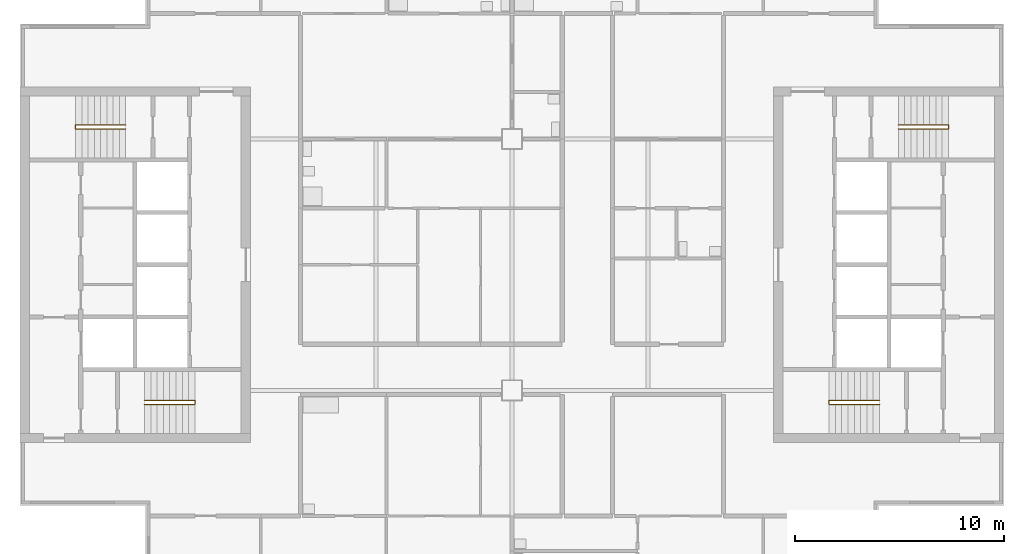
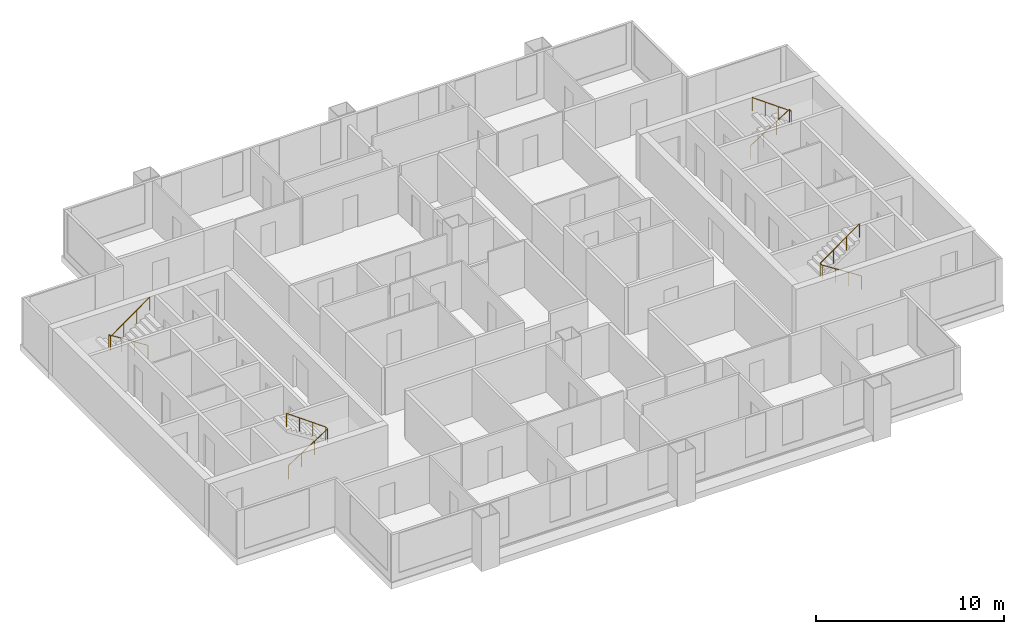
# One storey, part 8 of 9: 4 railings.
"""IFC4 building model written with IfcOpenShell, lengths in metres."""

import ifcopenshell
import ifcopenshell.guid

model = None  # the IFC model being written
_history = None  # IfcOwnerHistory: only IFC2X3 demands one
_inside = {}  # id of a spatial element -> (the spatial element, [elements in it])
_under = {}  # id of a project, library or spatial element -> (it, [spatial elements below it])
_declared = {}  # id of a project -> (the project, [libraries it declares])
_typed = {}  # id of a type object -> (the type object, [elements of that type])
_made_of = {}  # id of a material, layer set ... -> (it, [elements and type objects made of it])


def new_model(schema):
    """Start an empty IFC model of exactly this schema.

    Asked for "IFC4X3", IfcOpenShell would pick the latest addendum, in which some entities
    have other attributes; the version numbers below select the first issue.
    IFC2X3 requires an IfcOwnerHistory on every rooted entity: one is made here for all.
    """
    global model, _history
    if schema == "IFC4X3":
        model = ifcopenshell.file(schema_version=(4, 3, 0, 0))
    else:
        model = ifcopenshell.file(schema=schema)
    _inside.clear()
    _under.clear()
    _declared.clear()
    _typed.clear()
    _made_of.clear()
    _history = None
    if model.schema == "IFC2X3":
        org = make("IfcOrganization", Name="unknown")
        user = make(
            "IfcPersonAndOrganization",
            ThePerson=make("IfcPerson", FamilyName="unknown"),
            TheOrganization=org,
        )
        app = make(
            "IfcApplication",
            ApplicationDeveloper=org,
            Version="unknown",
            ApplicationFullName="unknown",
            ApplicationIdentifier="unknown",
        )
        _history = make(
            "IfcOwnerHistory",
            OwningUser=user,
            OwningApplication=app,
            ChangeAction="ADDED",
            CreationDate=0,
        )
    return model


def make(cls, **values):
    """One entity of the class cls with the attributes given. An attribute that is None is left unset."""
    return model.create_entity(
        cls, **{name: value for name, value in values.items() if value is not None}
    )


def rooted(cls, **values):
    """An entity with a GlobalId (a new one), such as an element, a storey or a relation."""
    return make(cls, GlobalId=ifcopenshell.guid.new(), OwnerHistory=_history, **values)


def si_unit(unit_type, name, prefix=None):
    """IfcSIUnit, for example si_unit("LENGTHUNIT", "METRE", prefix="MILLI")."""
    return make("IfcSIUnit", UnitType=unit_type, Prefix=prefix, Name=name)


def assignment(units):
    """IfcUnitAssignment: the units of a project."""
    return None if units is None else make("IfcUnitAssignment", Units=units)


def point(xyz):
    """IfcCartesianPoint."""
    return None if xyz is None else make("IfcCartesianPoint", Coordinates=xyz)


def direction(xyz):
    """IfcDirection."""
    return None if xyz is None else make("IfcDirection", DirectionRatios=xyz)


def frame(location, z_axis=None, x_axis=None):
    """IfcAxis2Placement3D, a coordinate frame: its origin and axes. An axis left out is left unset."""
    return make(
        "IfcAxis2Placement3D",
        Location=point(location),
        Axis=direction(z_axis),
        RefDirection=direction(x_axis),
    )


def frame_2d(location, x_axis=None):
    """IfcAxis2Placement2D, a coordinate frame in the plane: its origin and x axis."""
    return make(
        "IfcAxis2Placement2D", Location=point(location), RefDirection=direction(x_axis)
    )


def origin():
    """The frame at (0, 0, 0) with its axes left unset."""
    return frame((0.0, 0.0, 0.0))


def origin_2d():
    """The frame at (0, 0) in the plane with its x axis left unset."""
    return frame_2d((0.0, 0.0))


def place(relative_to, where):
    """IfcLocalPlacement: puts the frame where relative to a parent placement (None: the world)."""
    return make(
        "IfcLocalPlacement", PlacementRelTo=relative_to, RelativePlacement=where
    )


def context(
    kind, dimensions, precision=None, world=None, true_north=None, identifier=None
):
    """IfcGeometricRepresentationContext, for example the 3D "Model" context."""
    return make(
        "IfcGeometricRepresentationContext",
        ContextIdentifier=identifier,
        ContextType=kind,
        CoordinateSpaceDimension=dimensions,
        Precision=precision,
        WorldCoordinateSystem=world,
        TrueNorth=true_north,
    )


def subcontext(parent, identifier, kind, view, scale=None):
    """IfcGeometricRepresentationSubContext, for example "Body" below "Model"."""
    return make(
        "IfcGeometricRepresentationSubContext",
        ContextIdentifier=identifier,
        ContextType=kind,
        ParentContext=parent,
        TargetScale=scale,
        TargetView=view,
    )


def project(units=None, contexts=None):
    """IfcProject with its units and contexts."""
    return rooted(
        "IfcProject",
        Name="project",
        RepresentationContexts=contexts,
        UnitsInContext=assignment(units),
    )


def spatial(cls, under=None, at=None, **own):
    """A site, building, storey or space (cls), placed at a placement, below another one or the project."""
    s = rooted(cls, ObjectPlacement=at, **own)
    if under is not None:
        _under.setdefault(under.id(), (under, []))[1].append(s)
    return s


def profile(cls, at=None, kind="AREA", **sizes):
    """A parametric profile (cls). Its sizes go by their IFC names, for example OverallWidth=200.0."""
    return make(cls, ProfileType=kind, Position=at, **sizes)


def circle(**sizes):
    """IfcCircleProfileDef."""
    return profile("IfcCircleProfileDef", **sizes)


def extrude(swept, where, along, depth):
    """IfcExtrudedAreaSolid: the profile swept, set in the frame where, extruded along a direction by depth."""
    return make(
        "IfcExtrudedAreaSolid",
        SweptArea=swept,
        Position=where,
        ExtrudedDirection=direction(along),
        Depth=depth,
    )


def shape(context_of_items, identifier, shape_type, items):
    """IfcShapeRepresentation: the items that make up one representation, for example the "Body"."""
    return make(
        "IfcShapeRepresentation",
        ContextOfItems=context_of_items,
        RepresentationIdentifier=identifier,
        RepresentationType=shape_type,
        Items=items,
    )


def material(Name=None, Category=None):
    """IfcMaterial."""
    return make("IfcMaterial", Name=Name, Category=Category)


def made_of(thing, what):
    """Note that an element or type object is made of a material, layer set ...; save() writes the relation."""
    if what is not None:
        _made_of.setdefault(what.id(), (what, []))[1].append(thing)
    return thing


def type_object(cls, material=None, **own):
    """A type object (cls), such as IfcWallType, which elements share."""
    return made_of(rooted(cls, **own), material)


def element(
    cls,
    number,
    at=None,
    inside=None,
    cuts=None,
    type_object=None,
    material=None,
    context=None,
    identifier="Body",
    shape_type=None,
    held_by="IfcProductDefinitionShape",
    body=None,
    shapes=None,
    **own,
):
    """One element of the class cls, such as IfcWall. Its Tag is "e" and its number.

    at: its placement. inside: the storey or other place that contains it. cuts: it is an
    opening in that element (IfcRelVoidsElement). A single representation is given by context,
    identifier, shape_type and body (its items); several are given by shapes. held_by: the class
    of the entity that holds the representations. save() writes the other relations.
    """
    e = rooted(cls, Tag="e%d" % number, ObjectPlacement=at, **own)
    if body is not None:
        shapes = [shape(context, identifier, shape_type, body)]
    if shapes is not None:
        e.Representation = make(held_by, Representations=shapes)
    if inside is not None:
        _inside.setdefault(inside.id(), (inside, []))[1].append(e)
    if cuts is not None:
        rooted(
            "IfcRelVoidsElement", RelatingBuildingElement=cuts, RelatedOpeningElement=e
        )
    if type_object is not None:
        _typed.setdefault(type_object.id(), (type_object, []))[1].append(e)
    return made_of(e, material)


def aggregate(whole, parts):
    """IfcRelAggregates: a whole, such as a stair, and the parts it consists of."""
    return rooted("IfcRelAggregates", RelatingObject=whole, RelatedObjects=parts)


def save(model, path):
    """Write the relations noted so far, then the file.

    IfcRelAggregates (storeys below a building ...), IfcRelContainedInSpatialStructure (elements
    in a storey), IfcRelDefinesByType, IfcRelAssociatesMaterial and IfcRelDeclares: one each for
    every whole, place, type object, material and project.
    """
    for whole, parts in _under.values():
        aggregate(whole, parts)
    for where, things in _inside.values():
        rooted(
            "IfcRelContainedInSpatialStructure",
            RelatedElements=things,
            RelatingStructure=where,
        )
    for kind, things in _typed.values():
        rooted("IfcRelDefinesByType", RelatedObjects=things, RelatingType=kind)
    for what, things in _made_of.values():
        rooted("IfcRelAssociatesMaterial", RelatedObjects=things, RelatingMaterial=what)
    for by, libraries in _declared.values():
        rooted("IfcRelDeclares", RelatingContext=by, RelatedDefinitions=libraries)
    model.write(path)


model = new_model("IFC4")

# Units and contexts
model_context = context("Model", 3, precision=1e-05, world=origin(), true_north=direction((0.0, 1.0)))
body_context = subcontext(model_context, "Body", "Model", "MODEL_VIEW")
ifc_project = project(units=[si_unit("LENGTHUNIT", "METRE"), si_unit("AREAUNIT", "SQUARE_METRE"), si_unit("VOLUMEUNIT", "CUBIC_METRE"), si_unit("PLANEANGLEUNIT", "RADIAN"), si_unit("MASSUNIT", "GRAM", prefix="KILO")], contexts=[model_context])

# Site, building, storey
site_placement = place(None, origin())
site = spatial("IfcSite", under=ifc_project, at=site_placement, CompositionType="ELEMENT")
building_placement = place(site_placement, origin())
building = spatial("IfcBuilding", under=site, at=building_placement, Name="Kitamizu Gate Tower and Museum", CompositionType="ELEMENT")
storey_placement = place(building_placement, frame((0.0, 0.0, 221.39990234375)))
storey = spatial("IfcBuildingStorey", under=building, at=storey_placement, Name="L59", CompositionType="ELEMENT", Elevation=221.39990234375)

# Railings
ifc_material = material(Name="Stainless steel SUS304", Category="steel")
railing_type = type_object("IfcRailingType", Name="Stair handrail 900", PredefinedType="HANDRAIL", material=ifc_material)
railing_1_placement = place(storey_placement, frame((18.449951171875, 23.324951171875, 0.191650390625)))
element("IfcRailing", 1, at=railing_1_placement, inside=storey, type_object=railing_type, Name="Stair handrail ST1", PredefinedType="HANDRAIL", context=body_context, shape_type="SweptSolid", body=[
    extrude(circle(Radius=0.02392578125, at=origin_2d()), frame((0.0, 0.0, 0.8759765625), z_axis=(0.842693018954, 0.0, 0.538394349715), x_axis=(0.0, 1.0, 0.0)), (0.0, 0.0, 1.0), 2.84814453125),
    extrude(circle(Radius=0.02392578125, at=origin_2d()), frame((2.400146484375, 0.0, 2.4091796875), z_axis=(0.0, 1.0, 0.0), x_axis=(-1.0, 0.0, 0.0)), (0.0, 0.0, 1.0), 0.199951171875),
    extrude(circle(Radius=0.02392578125, at=origin_2d()), frame((2.400146484375, 0.199951171875, 2.4091796875), z_axis=(-0.812016594614, 0.0, 0.583634346205), x_axis=(0.0, -1.0, 0.0)), (0.0, 0.0, 1.0), 2.955810546875),
    extrude(circle(Radius=0.02099609375, at=origin_2d()), origin(), (0.0, 0.0, 1.0), 0.851806640625),
    extrude(circle(Radius=0.02099609375, at=origin_2d()), frame((0.800048828125, 0.0, 0.51123046875)), (0.0, 0.0, 1.0), 0.851806640625),
    extrude(circle(Radius=0.02099609375, at=origin_2d()), frame((1.60009765625, 0.0, 1.022216796875)), (0.0, 0.0, 1.0), 0.851806640625),
    extrude(circle(Radius=0.02099609375, at=origin_2d()), frame((2.400146484375, 0.0, 1.533447265625)), (0.0, 0.0, 1.0), 0.851806640625),
    extrude(circle(Radius=0.02099609375, at=origin_2d()), frame((2.400146484375, 0.199951171875, 1.533447265625)), (0.0, 0.0, 1.0), 0.851806640625),
    extrude(circle(Radius=0.02099609375, at=origin_2d()), frame((1.60009765625, 0.199951171875, 2.1083984375)), (0.0, 0.0, 1.0), 0.851806640625),
    extrude(circle(Radius=0.02099609375, at=origin_2d()), frame((0.800048828125, 0.199951171875, 2.68359375)), (0.0, 0.0, 1.0), 0.851806640625),
    extrude(circle(Radius=0.02099609375, at=origin_2d()), frame((0.0, 0.199951171875, 3.258544921875)), (0.0, 0.0, 1.0), 0.851806640625),
])
railing_2_placement = place(storey_placement, frame((17.550048828125, 36.675048828125, 0.191650390625)))
element("IfcRailing", 2, at=railing_2_placement, inside=storey, type_object=railing_type, Name="Stair handrail ST2", PredefinedType="HANDRAIL", context=body_context, shape_type="SweptSolid", body=[
    extrude(circle(Radius=0.02392578125, at=origin_2d()), frame((0.0, 0.0, 0.8759765625), z_axis=(-0.842693018954, 0.0, 0.538394349715), x_axis=(0.0, -1.0, 0.0)), (0.0, 0.0, 1.0), 2.84814453125),
    extrude(circle(Radius=0.02392578125, at=origin_2d()), frame((-2.400146484375, 0.0, 2.4091796875), z_axis=(0.0, -1.0, 0.0), x_axis=(1.0, 0.0, 0.0)), (0.0, 0.0, 1.0), 0.199951171875),
    extrude(circle(Radius=0.02392578125, at=origin_2d()), frame((-2.400146484375, -0.199951171875, 2.4091796875), z_axis=(0.812016594614, 0.0, 0.583634346205), x_axis=(0.0, 1.0, 0.0)), (0.0, 0.0, 1.0), 2.955810546875),
    extrude(circle(Radius=0.02099609375, at=origin_2d()), origin(), (0.0, 0.0, 1.0), 0.851806640625),
    extrude(circle(Radius=0.02099609375, at=origin_2d()), frame((-0.800048828125, 0.0, 0.51123046875)), (0.0, 0.0, 1.0), 0.851806640625),
    extrude(circle(Radius=0.02099609375, at=origin_2d()), frame((-1.60009765625, 0.0, 1.022216796875)), (0.0, 0.0, 1.0), 0.851806640625),
    extrude(circle(Radius=0.02099609375, at=origin_2d()), frame((-2.400146484375, 0.0, 1.533447265625)), (0.0, 0.0, 1.0), 0.851806640625),
    extrude(circle(Radius=0.02099609375, at=origin_2d()), frame((-2.400146484375, -0.199951171875, 1.533447265625)), (0.0, 0.0, 1.0), 0.851806640625),
    extrude(circle(Radius=0.02099609375, at=origin_2d()), frame((-1.60009765625, -0.199951171875, 2.1083984375)), (0.0, 0.0, 1.0), 0.851806640625),
    extrude(circle(Radius=0.02099609375, at=origin_2d()), frame((-0.800048828125, -0.199951171875, 2.68359375)), (0.0, 0.0, 1.0), 0.851806640625),
    extrude(circle(Radius=0.02099609375, at=origin_2d()), frame((0.0, -0.199951171875, 3.258544921875)), (0.0, 0.0, 1.0), 0.851806640625),
])
railing_3_placement = place(storey_placement, frame((53.550048828125, 23.324951171875, 0.191650390625)))
element("IfcRailing", 3, at=railing_3_placement, inside=storey, type_object=railing_type, Name="Stair handrail ST3", PredefinedType="HANDRAIL", context=body_context, shape_type="SweptSolid", body=[
    extrude(circle(Radius=0.02392578125, at=origin_2d()), frame((0.0, 0.0, 0.8759765625), z_axis=(-0.842693018954, 0.0, 0.538394349715), x_axis=(0.0, -1.0, 0.0)), (0.0, 0.0, 1.0), 2.84814453125),
    extrude(circle(Radius=0.02392578125, at=origin_2d()), frame((-2.400146484375, 0.0, 2.4091796875), z_axis=(0.0, 1.0, 0.0), x_axis=(-1.0, 0.0, 0.0)), (0.0, 0.0, 1.0), 0.199951171875),
    extrude(circle(Radius=0.02392578125, at=origin_2d()), frame((-2.400146484375, 0.199951171875, 2.4091796875), z_axis=(0.812016594614, 0.0, 0.583634346205), x_axis=(0.0, 1.0, 0.0)), (0.0, 0.0, 1.0), 2.955810546875),
    extrude(circle(Radius=0.02099609375, at=origin_2d()), origin(), (0.0, 0.0, 1.0), 0.851806640625),
    extrude(circle(Radius=0.02099609375, at=origin_2d()), frame((-0.800048828125, 0.0, 0.51123046875)), (0.0, 0.0, 1.0), 0.851806640625),
    extrude(circle(Radius=0.02099609375, at=origin_2d()), frame((-1.60009765625, 0.0, 1.022216796875)), (0.0, 0.0, 1.0), 0.851806640625),
    extrude(circle(Radius=0.02099609375, at=origin_2d()), frame((-2.400146484375, 0.0, 1.533447265625)), (0.0, 0.0, 1.0), 0.851806640625),
    extrude(circle(Radius=0.02099609375, at=origin_2d()), frame((-2.400146484375, 0.199951171875, 1.533447265625)), (0.0, 0.0, 1.0), 0.851806640625),
    extrude(circle(Radius=0.02099609375, at=origin_2d()), frame((-1.60009765625, 0.199951171875, 2.1083984375)), (0.0, 0.0, 1.0), 0.851806640625),
    extrude(circle(Radius=0.02099609375, at=origin_2d()), frame((-0.800048828125, 0.199951171875, 2.68359375)), (0.0, 0.0, 1.0), 0.851806640625),
    extrude(circle(Radius=0.02099609375, at=origin_2d()), frame((0.0, 0.199951171875, 3.258544921875)), (0.0, 0.0, 1.0), 0.851806640625),
])
railing_4_placement = place(storey_placement, frame((54.449951171875, 36.675048828125, 0.191650390625)))
element("IfcRailing", 4, at=railing_4_placement, inside=storey, type_object=railing_type, Name="Stair handrail ST4", PredefinedType="HANDRAIL", context=body_context, shape_type="SweptSolid", body=[
    extrude(circle(Radius=0.02392578125, at=origin_2d()), frame((0.0, 0.0, 0.8759765625), z_axis=(0.842693018954, 0.0, 0.538394349715), x_axis=(0.0, 1.0, 0.0)), (0.0, 0.0, 1.0), 2.84814453125),
    extrude(circle(Radius=0.02392578125, at=origin_2d()), frame((2.400146484375, 0.0, 2.4091796875), z_axis=(0.0, -1.0, 0.0), x_axis=(1.0, 0.0, 0.0)), (0.0, 0.0, 1.0), 0.199951171875),
    extrude(circle(Radius=0.02392578125, at=origin_2d()), frame((2.400146484375, -0.199951171875, 2.4091796875), z_axis=(-0.812016594614, 0.0, 0.583634346205), x_axis=(0.0, -1.0, 0.0)), (0.0, 0.0, 1.0), 2.955810546875),
    extrude(circle(Radius=0.02099609375, at=origin_2d()), origin(), (0.0, 0.0, 1.0), 0.851806640625),
    extrude(circle(Radius=0.02099609375, at=origin_2d()), frame((0.800048828125, 0.0, 0.51123046875)), (0.0, 0.0, 1.0), 0.851806640625),
    extrude(circle(Radius=0.02099609375, at=origin_2d()), frame((1.60009765625, 0.0, 1.022216796875)), (0.0, 0.0, 1.0), 0.851806640625),
    extrude(circle(Radius=0.02099609375, at=origin_2d()), frame((2.400146484375, 0.0, 1.533447265625)), (0.0, 0.0, 1.0), 0.851806640625),
    extrude(circle(Radius=0.02099609375, at=origin_2d()), frame((2.400146484375, -0.199951171875, 1.533447265625)), (0.0, 0.0, 1.0), 0.851806640625),
    extrude(circle(Radius=0.02099609375, at=origin_2d()), frame((1.60009765625, -0.199951171875, 2.1083984375)), (0.0, 0.0, 1.0), 0.851806640625),
    extrude(circle(Radius=0.02099609375, at=origin_2d()), frame((0.800048828125, -0.199951171875, 2.68359375)), (0.0, 0.0, 1.0), 0.851806640625),
    extrude(circle(Radius=0.02099609375, at=origin_2d()), frame((0.0, -0.199951171875, 3.258544921875)), (0.0, 0.0, 1.0), 0.851806640625),
])

save(model, "model.ifc")
